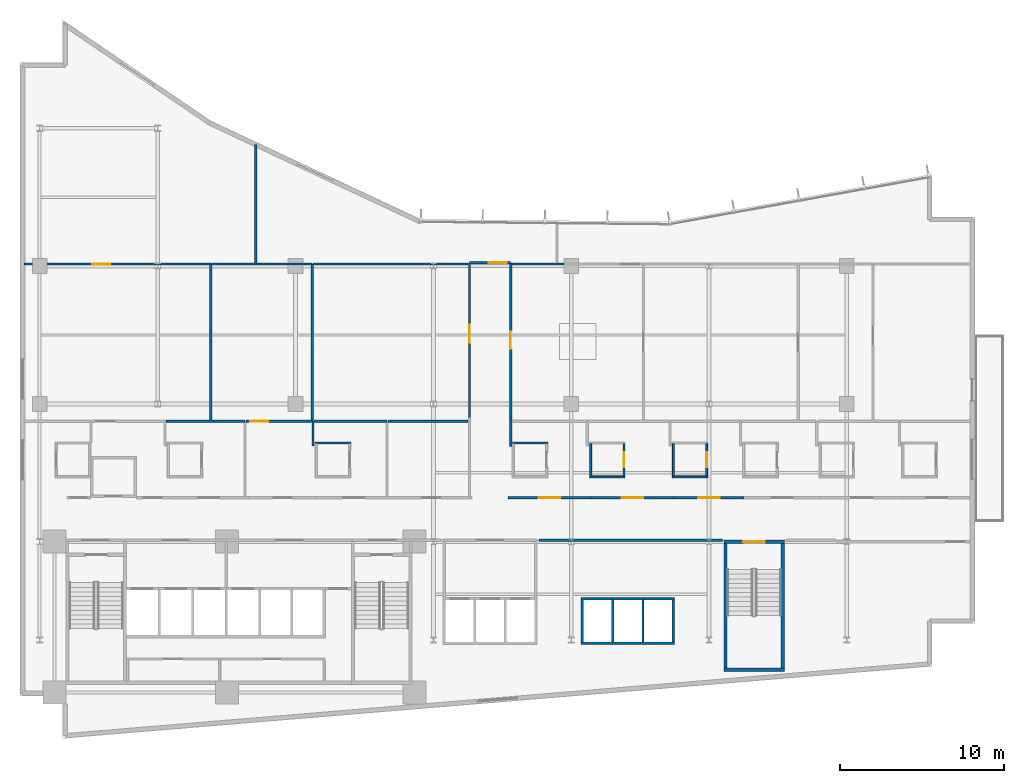
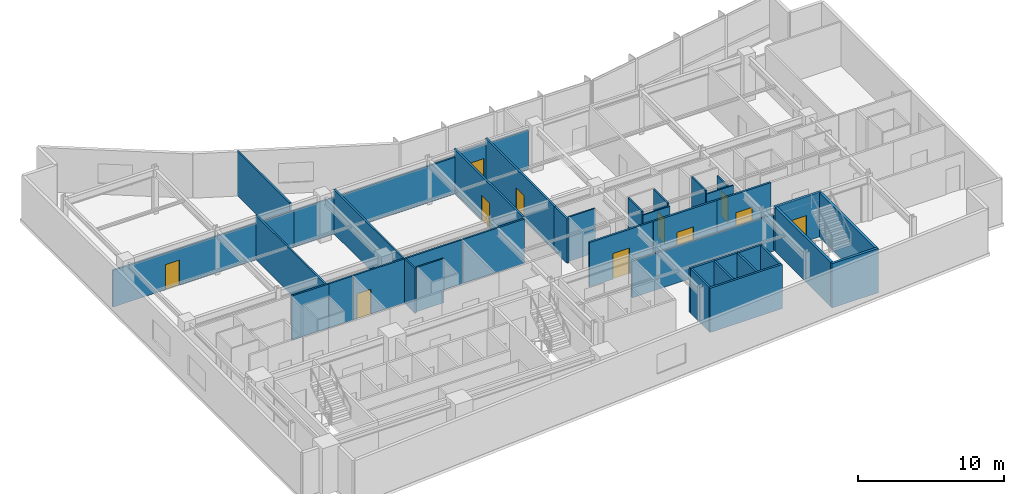
# One storey, part 12 of 19: 42 walls, 11 doors, 11 openings.
"""IFC4 building model written with IfcOpenShell, lengths in metres."""

from ifc_helpers import new_model, si_unit, direction, frame, frame_2d, origin, place, context, subcontext, project, spatial, rectangle, extrude, material, layer, layer_set, type_object, element, fill, save


model = new_model("IFC4")

# Units and contexts
model_context = context("Model", 3, precision=1e-05, world=origin(), true_north=direction((0.0, 1.0)))
body_context = subcontext(model_context, "Body", "Model", "MODEL_VIEW")
ifc_project = project(units=[si_unit("LENGTHUNIT", "METRE"), si_unit("AREAUNIT", "SQUARE_METRE"), si_unit("VOLUMEUNIT", "CUBIC_METRE"), si_unit("PLANEANGLEUNIT", "RADIAN"), si_unit("MASSUNIT", "GRAM", prefix="KILO")], contexts=[model_context])

# Site, building, storey
site_placement = place(None, origin())
site = spatial("IfcSite", under=ifc_project, at=site_placement, CompositionType="ELEMENT")
building_placement = place(site_placement, origin())
building = spatial("IfcBuilding", under=site, at=building_placement, Name="Varnakote Quay Hospital", CompositionType="ELEMENT")
storey_placement = place(building_placement, frame((0.0, 0.0, 54.10009765625)))
storey = spatial("IfcBuildingStorey", under=building, at=storey_placement, Name="L13", CompositionType="ELEMENT", Elevation=54.10009765625)

# Walls
ifc_material_1 = material(Name="Fire-rated acoustic gypsum stud wall", Category="gypsum")
ifc_layer_1 = layer(ifc_material_1, 0.159912109375)
ifc_layer_set_1 = layer_set([ifc_layer_1], Name="Fire-rated acoustic gypsum stud wall")
wall_type_1 = type_object("IfcWallType", Name="WL-COMP-160", PredefinedType="PARTITIONING", material=ifc_layer_set_1)
wall_1_placement = place(storey_placement, frame((31.6298828125, 12.080078125, 0.0), z_axis=(0.0, 0.0, 1.0), x_axis=(1.0, 0.0, 0.0)))
element("IfcWall", 1, at=wall_1_placement, inside=storey, type_object=wall_type_1, Name="L13 Corridor South Gap Wall", PredefinedType="PARTITIONING", context=body_context, shape_type="SweptSolid", body=[
    extrude(rectangle(XDim=11.180908203125, YDim=0.159912109375, at=frame_2d((5.59033203125, 0.0))), origin(), (0.0, 0.0, 1.0), 3.072998046875),
])
ifc_material_2 = material(Name="Moisture-resistant bathroom partition", Category="gypsum")
ifc_layer_2 = layer(ifc_material_2, 0.114990234375)
ifc_layer_set_2 = layer_set([ifc_layer_2], Name="Moisture-resistant bathroom partition")
wall_type_2 = type_object("IfcWallType", Name="WL-ENS-115", PredefinedType="PARTITIONING", material=ifc_layer_set_2)
for number, where, z_axis, x_axis, name in (
    (2, (18.0048828125, 18.017578125, 0.0), (0.0, 0.0, 1.0), (1.0, 0.0, 0.0), "L13 Inpatient En-Suite Bathroom 03 N Wall"),
    (3, (30.0048828125, 18.017578125, 0.0), (0.0, 0.0, 1.0), (1.0, 0.0, 0.0), "L13 Inpatient En-Suite Bathroom 04 N Wall"),
):
    element("IfcWall", number, at=place(storey_placement, frame(where, z_axis=z_axis, x_axis=x_axis)), inside=storey, type_object=wall_type_2, Name=name, PredefinedType="PARTITIONING", context=body_context, shape_type="SweptSolid", body=[
        extrude(rectangle(XDim=2.150146484375, YDim=0.114990234375, at=frame_2d((1.0751953125, 0.0))), origin(), (0.0, 0.0, 1.0), 3.7099609375),
    ])
wall_2_placement = place(storey_placement, frame((34.72509765625, 15.952392578125, 0.0), z_axis=(0.0, 0.0, 1.0), x_axis=(1.0, 0.0, 0.0)))
element("IfcWall", 4, at=wall_2_placement, inside=storey, type_object=wall_type_2, Name="L13 Inpatient En-Suite Bathroom 05 S Wall", PredefinedType="PARTITIONING", context=body_context, shape_type="SweptSolid", body=[
    extrude(rectangle(XDim=2.14990234375, YDim=0.114990234375, at=frame_2d((1.074951171875, 0.0))), origin(), (0.0, 0.0, 1.0), 3.477783203125),
])
wall_3_placement = place(storey_placement, frame((34.782470703125, 16.010009765625, 0.0), z_axis=(0.0, 0.0, 1.0), x_axis=(0.0, 1.0, 0.0)))
element("IfcWall", 5, at=wall_3_placement, inside=storey, type_object=wall_type_2, Name="L13 Inpatient En-Suite Bathroom 05 W Wall", PredefinedType="PARTITIONING", context=body_context, shape_type="SweptSolid", body=[
    extrude(rectangle(XDim=1.949951171875, YDim=0.114990234375, at=frame_2d((0.97509765625, 0.0))), origin(), (0.0, 0.0, 1.0), 3.7099609375),
])

# Wall, opening, door
wall_4_placement = place(storey_placement, frame((36.8173828125, 16.010009765625, 0.0), z_axis=(0.0, 0.0, 1.0), x_axis=(0.0, 1.0, 0.0)))
wall_4 = element("IfcWall", 6, at=wall_4_placement, inside=storey, type_object=wall_type_2, Name="L13 Inpatient En-Suite Bathroom 05 E Wall", PredefinedType="PARTITIONING", context=body_context, shape_type="SweptSolid", body=[
    extrude(rectangle(XDim=1.949951171875, YDim=0.114990234375, at=frame_2d((0.97509765625, 0.0))), origin(), (0.0, 0.0, 1.0), 3.7099609375),
])
opening_1_placement = place(wall_4_placement, frame((0.514892578125, 0.0, 0.0)))
opening_1 = element("IfcOpeningElement", 7, at=opening_1_placement, cuts=wall_4, Name="Opening D-L13-ENS05", PredefinedType="OPENING", context=body_context, shape_type="SweptSolid", body=[
    extrude(rectangle(XDim=0.919921875, YDim=2.10009765625, at=frame_2d((0.4599609375, 1.050048828125))), frame((0.0, 0.0673828125, 0.0), z_axis=(0.0, -1.0, 0.0), x_axis=(1.0, 0.0, 0.0)), (0.0, 0.0, 1.0), 0.135009765625),
])
ifc_material_3 = material(Name="Moisture-sealed en-suite bathroom door")
door_type_1 = type_object("IfcDoorType", Name="DR-ENS-920x2100", OperationType="NOTDEFINED", PredefinedType="DOOR", material=ifc_material_3)
door_1_placement = place(opening_1_placement, origin())
door_1 = element("IfcDoor", 8, at=door_1_placement, inside=storey, type_object=door_type_1, Name="L13 Inpatient En-Suite Bathroom 05 Door", OperationType="SINGLE_SWING_RIGHT", OverallHeight=2.10009765625, OverallWidth=0.919921875, PredefinedType="DOOR", context=body_context, shape_type="SweptSolid", body=[
    extrude(rectangle(XDim=0.919921875, YDim=2.10009765625, at=frame_2d((0.4599609375, 1.050048828125))), frame((0.0, 0.02490234375, 0.0), z_axis=(0.0, -1.0, 0.0), x_axis=(1.0, 0.0, 0.0)), (0.0, 0.0, 1.0), 0.050048828125),
])
fill(opening_1, door_1)

# Walls
wall_5_placement = place(storey_placement, frame((39.764892578125, 15.952392578125, 0.0), z_axis=(0.0, 0.0, 1.0), x_axis=(1.0, 0.0, 0.0)))
element("IfcWall", 9, at=wall_5_placement, inside=storey, type_object=wall_type_2, Name="L13 Inpatient En-Suite Bathroom 06 S Wall", PredefinedType="PARTITIONING", context=body_context, shape_type="SweptSolid", body=[
    extrude(rectangle(XDim=2.150146484375, YDim=0.114990234375, at=frame_2d((1.0751953125, 0.0))), origin(), (0.0, 0.0, 1.0), 3.477783203125),
])
wall_6_placement = place(storey_placement, frame((39.822509765625, 16.010009765625, 0.0), z_axis=(0.0, 0.0, 1.0), x_axis=(0.0, 1.0, 0.0)))
element("IfcWall", 10, at=wall_6_placement, inside=storey, type_object=wall_type_2, Name="L13 Inpatient En-Suite Bathroom 06 W Wall", PredefinedType="PARTITIONING", context=body_context, shape_type="SweptSolid", body=[
    extrude(rectangle(XDim=1.949951171875, YDim=0.114990234375, at=frame_2d((0.97509765625, 0.0))), origin(), (0.0, 0.0, 1.0), 3.7099609375),
])

# Wall, opening, door
wall_7_placement = place(storey_placement, frame((41.857421875, 16.010009765625, 0.0), z_axis=(0.0, 0.0, 1.0), x_axis=(0.0, 1.0, 0.0)))
wall_7 = element("IfcWall", 11, at=wall_7_placement, inside=storey, type_object=wall_type_2, Name="L13 Inpatient En-Suite Bathroom 06 E Wall", PredefinedType="PARTITIONING", context=body_context, shape_type="SweptSolid", body=[
    extrude(rectangle(XDim=1.949951171875, YDim=0.114990234375, at=frame_2d((0.97509765625, 0.0))), origin(), (0.0, 0.0, 1.0), 3.072998046875),
])
opening_2_placement = place(wall_7_placement, frame((0.514892578125, 0.0, 0.0)))
opening_2 = element("IfcOpeningElement", 12, at=opening_2_placement, cuts=wall_7, Name="Opening D-L13-ENS06", PredefinedType="OPENING", context=body_context, shape_type="SweptSolid", body=[
    extrude(rectangle(XDim=0.919921875, YDim=2.10009765625, at=frame_2d((0.4599609375, 1.050048828125))), frame((0.0, 0.0673828125, 0.0), z_axis=(0.0, -1.0, 0.0), x_axis=(1.0, 0.0, 0.0)), (0.0, 0.0, 1.0), 0.135009765625),
])
door_2_placement = place(opening_2_placement, origin())
door_2 = element("IfcDoor", 13, at=door_2_placement, inside=storey, type_object=door_type_1, Name="L13 Inpatient En-Suite Bathroom 06 Door", OperationType="SINGLE_SWING_LEFT", OverallHeight=2.10009765625, OverallWidth=0.919921875, PredefinedType="DOOR", context=body_context, shape_type="SweptSolid", body=[
    extrude(rectangle(XDim=0.919921875, YDim=2.10009765625, at=frame_2d((0.4599609375, 1.050048828125))), frame((0.0, 0.02490234375, 0.0), z_axis=(0.0, -1.0, 0.0), x_axis=(1.0, 0.0, 0.0)), (0.0, 0.0, 1.0), 0.050048828125),
])
fill(opening_2, door_2)

# Walls
ifc_material_4 = material(Name="Concrete N50 (f'c 50 MPa)", Category="concrete")
ifc_layer_3 = layer(ifc_material_4, 0.14990234375)
ifc_layer_set_3 = layer_set([ifc_layer_3], Name="Concrete N50 (f'c 50 MPa)")
wall_type_3 = type_object("IfcWallType", Name="WL-SHAFT-N50-150", PredefinedType="SHEAR", material=ifc_layer_set_3)
for number, where, z_axis, x_axis, name in (
    (14, (36.125, 5.89990234375, 0.0), (0.0, 0.0, 1.0), (0.0, 1.0, 0.0), "L13 LF-PM1 Hoistway Divider Wall"),
    (15, (37.97509765625, 5.89990234375, 0.0), (0.0, 0.0, 1.0), (0.0, 1.0, 0.0), "L13 LF-PM2 Hoistway Divider Wall"),
):
    element("IfcWall", number, at=place(storey_placement, frame(where, z_axis=z_axis, x_axis=x_axis)), inside=storey, type_object=wall_type_3, Name=name, PredefinedType="SHEAR", context=body_context, shape_type="SweptSolid", body=[
        extrude(rectangle(XDim=2.550048828125, YDim=0.14990234375, at=frame_2d((1.27490234375, 0.0))), origin(), (0.0, 0.0, 1.0), 3.7099609375),
    ])
ifc_material_5 = material(Name="Concrete N50 (f'c 50 MPa)", Category="concrete")
ifc_layer_4 = layer(ifc_material_5, 0.159912109375)
ifc_layer_set_4 = layer_set([ifc_layer_4], Name="Concrete N50 (f'c 50 MPa)")
wall_type_4 = type_object("IfcWallType", Name="WL-SHAFT-N50-160", PredefinedType="SHEAR", material=ifc_layer_set_4)
wall_8_placement = place(storey_placement, frame((34.18994140625, 5.820068359375, 0.0), z_axis=(0.0, 0.0, 1.0), x_axis=(1.0, 0.0, 0.0)))
element("IfcWall", 16, at=wall_8_placement, inside=storey, type_object=wall_type_4, Name="L13 MID Lift Bank Back Shear Wall", PredefinedType="SHEAR", context=body_context, shape_type="SweptSolid", body=[
    extrude(rectangle(XDim=5.719970703125, YDim=0.159912109375, at=frame_2d((2.85986328125, 0.0))), origin(), (0.0, 0.0, 1.0), 3.7099609375),
])
for number, where, z_axis, x_axis, name in (
    (17, (34.27001953125, 5.89990234375, 0.0), (0.0, 0.0, 1.0), (0.0, 1.0, 0.0), "L13 MID Lift Bank West Shear Wall"),
    (18, (39.830078125, 5.89990234375, 0.0), (0.0, 0.0, 1.0), (0.0, 1.0, 0.0), "L13 MID Lift Bank East Shear Wall"),
):
    element("IfcWall", number, at=place(storey_placement, frame(where, z_axis=z_axis, x_axis=x_axis)), inside=storey, type_object=wall_type_4, Name=name, PredefinedType="SHEAR", context=body_context, shape_type="SweptSolid", body=[
        extrude(rectangle(XDim=2.550048828125, YDim=0.159912109375, at=frame_2d((1.27490234375, 0.0))), origin(), (0.0, 0.0, 1.0), 3.7099609375),
    ])
wall_9_placement = place(storey_placement, frame((34.18994140625, 8.530029296875, 0.0), z_axis=(0.0, 0.0, 1.0), x_axis=(1.0, 0.0, 0.0)))
element("IfcWall", 19, at=wall_9_placement, inside=storey, type_object=wall_type_4, Name="L13 LF-PM1 Hoistway Front Wall", PredefinedType="SHEAR", context=body_context, shape_type="SweptSolid", body=[
    extrude(rectangle(XDim=1.93505859375, YDim=0.159912109375, at=frame_2d((0.967529296875, 0.0))), origin(), (0.0, 0.0, 1.0), 3.7099609375),
])
wall_10_placement = place(storey_placement, frame((36.125, 8.530029296875, 0.0), z_axis=(0.0, 0.0, 1.0), x_axis=(1.0, 0.0, 0.0)))
element("IfcWall", 20, at=wall_10_placement, inside=storey, type_object=wall_type_4, Name="L13 LF-PM2 Hoistway Front Wall", PredefinedType="SHEAR", context=body_context, shape_type="SweptSolid", body=[
    extrude(rectangle(XDim=1.85009765625, YDim=0.159912109375, at=frame_2d((0.925048828125, 0.0))), origin(), (0.0, 0.0, 1.0), 3.7099609375),
])
wall_11_placement = place(storey_placement, frame((37.97509765625, 8.530029296875, 0.0), z_axis=(0.0, 0.0, 1.0), x_axis=(1.0, 0.0, 0.0)))
element("IfcWall", 21, at=wall_11_placement, inside=storey, type_object=wall_type_4, Name="L13 LF-PM3 Hoistway Front Wall", PredefinedType="SHEAR", context=body_context, shape_type="SweptSolid", body=[
    extrude(rectangle(XDim=1.934814453125, YDim=0.159912109375, at=frame_2d((0.96728515625, 0.0))), origin(), (0.0, 0.0, 1.0), 3.7099609375),
])
ifc_material_6 = material(Name="Concrete N50 (f'c 50 MPa)", Category="concrete")
ifc_layer_5 = layer(ifc_material_6, 0.199951171875)
ifc_layer_set_5 = layer_set([ifc_layer_5], Name="Concrete N50 (f'c 50 MPa)")
wall_type_5 = type_object("IfcWallType", Name="WL-SHAFT-N50-200", PredefinedType="SHEAR", material=ifc_layer_set_5)
wall_12_placement = place(storey_placement, frame((42.89990234375, 4.199951171875, 0.0), z_axis=(0.0, 0.0, 1.0), x_axis=(1.0, 0.0, 0.0)))
element("IfcWall", 22, at=wall_12_placement, inside=storey, type_object=wall_type_5, Name="L13 Stair ST3 South Shaft Wall", PredefinedType="SHEAR", context=body_context, shape_type="SweptSolid", body=[
    extrude(rectangle(XDim=3.7001953125, YDim=0.199951171875, at=frame_2d((1.85009765625, 0.0))), origin(), (0.0, 0.0, 1.0), 3.7099609375),
])
for number, where, z_axis, x_axis, name in (
    (23, (43.0, 4.300048828125, 0.0), (0.0, 0.0, 1.0), (0.0, 1.0, 0.0), "L13 Stair ST3 West Shaft Wall"),
    (24, (46.5, 4.300048828125, 0.0), (0.0, 0.0, 1.0), (0.0, 1.0, 0.0), "L13 Stair ST3 East Shaft Wall"),
):
    element("IfcWall", number, at=place(storey_placement, frame(where, z_axis=z_axis, x_axis=x_axis)), inside=storey, type_object=wall_type_5, Name=name, PredefinedType="SHEAR", context=body_context, shape_type="SweptSolid", body=[
        extrude(rectangle(XDim=7.599853515625, YDim=0.199951171875, at=frame_2d((3.7998046875, 0.0))), origin(), (0.0, 0.0, 1.0), 3.7099609375),
    ])

# Wall, opening, door
wall_13_placement = place(storey_placement, frame((42.89990234375, 12.0, 0.0), z_axis=(0.0, 0.0, 1.0), x_axis=(1.0, 0.0, 0.0)))
wall_13 = element("IfcWall", 25, at=wall_13_placement, inside=storey, type_object=wall_type_5, Name="L13 Stair ST3 Exit Wall", PredefinedType="SHEAR", context=body_context, shape_type="SweptSolid", body=[
    extrude(rectangle(XDim=3.7001953125, YDim=0.199951171875, at=frame_2d((1.85009765625, 0.0))), origin(), (0.0, 0.0, 1.0), 3.7099609375),
])
opening_3_placement = place(wall_13_placement, frame((1.199951171875, 0.0, 0.0)))
opening_3 = element("IfcOpeningElement", 26, at=opening_3_placement, cuts=wall_13, Name="Opening D-ST3-L13", PredefinedType="OPENING", context=body_context, shape_type="SweptSolid", body=[
    extrude(rectangle(XDim=1.300048828125, YDim=2.14990234375, at=frame_2d((0.64990234375, 1.074951171875))), frame((0.0, 0.10986328125, 0.0), z_axis=(0.0, -1.0, 0.0), x_axis=(1.0, 0.0, 0.0)), (0.0, 0.0, 1.0), 0.219970703125),
])
ifc_material_7 = material(Name="Fire-rated ceramic-glazed timber exit door", Category="wood")
door_type_2 = type_object("IfcDoorType", Name="DR-STAIR-FD60S-1300x2150", OperationType="NOTDEFINED", PredefinedType="DOOR", material=ifc_material_7)
door_3_placement = place(opening_3_placement, origin())
door_3 = element("IfcDoor", 27, at=door_3_placement, inside=storey, type_object=door_type_2, Name="L13 Stair ST3 Fire Exit Door", OperationType="SINGLE_SWING_LEFT", OverallHeight=2.14990234375, OverallWidth=1.300048828125, PredefinedType="DOOR", context=body_context, shape_type="SweptSolid", body=[
    extrude(rectangle(XDim=1.300048828125, YDim=2.14990234375, at=frame_2d((0.64990234375, 1.074951171875))), frame((0.0, 0.02490234375, 0.0), z_axis=(0.0, -1.0, 0.0), x_axis=(1.0, 0.0, 0.0)), (0.0, 0.0, 1.0), 0.050048828125),
])
fill(opening_3, door_3)

# Walls
ifc_material_8 = material(Name="Smoke-proof clinical partition", Category="gypsum")
ifc_layer_6 = layer(ifc_material_8, 0.135009765625)
ifc_layer_set_6 = layer_set([ifc_layer_6], Name="Smoke-proof clinical partition")
wall_type_6 = type_object("IfcWallType", Name="WL-SMOKE-135", PredefinedType="PARTITIONING", material=ifc_layer_set_6)
wall_14_placement = place(storey_placement, frame((11.82470703125, 19.340087890625, 0.0), z_axis=(0.0, 0.0, 1.0), x_axis=(-1.0, 0.0, 0.0)))
element("IfcWall", 28, at=wall_14_placement, inside=storey, type_object=wall_type_6, Name="L13 Clinical Interior Partition", PredefinedType="PARTITIONING", context=body_context, shape_type="SweptSolid", body=[
    extrude(rectangle(XDim=2.92724609375, YDim=0.135009765625, at=frame_2d((1.463623046875, 0.0))), origin(), (0.0, 0.0, 1.0), 3.7099609375),
])
wall_15_placement = place(storey_placement, frame((13.7099609375, 19.340087890625, 0.0), z_axis=(0.0, 0.0, 1.0), x_axis=(-1.0, 0.0, 0.0)))
element("IfcWall", 29, at=wall_15_placement, inside=storey, type_object=wall_type_6, Name="L13 Clinical Interior Partition", PredefinedType="PARTITIONING", context=body_context, shape_type="SweptSolid", body=[
    extrude(rectangle(XDim=1.88330078125, YDim=0.135009765625, at=frame_2d((0.941650390625, 0.0))), origin(), (0.0, 0.0, 1.0), 3.7099609375),
])
wall_16_placement = place(storey_placement, frame((17.860107421875, 17.83251953125, 0.0), z_axis=(0.0, 0.0, 1.0), x_axis=(0.0, 1.0, 0.0)))
element("IfcWall", 30, at=wall_16_placement, inside=storey, type_object=wall_type_6, Name="L13 Clinical Interior Partition", PredefinedType="PARTITIONING", context=body_context, shape_type="SweptSolid", body=[
    extrude(rectangle(XDim=1.507568359375, YDim=0.135009765625, at=frame_2d((0.75390625, 0.0))), origin(), (0.0, 0.0, 1.0), 3.7099609375),
])

# Wall, opening, door
wall_17_placement = place(storey_placement, frame((17.860107421875, 19.340087890625, 0.0), z_axis=(0.0, 0.0, 1.0), x_axis=(-1.0, 0.0, 0.0)))
wall_17 = element("IfcWall", 31, at=wall_17_placement, inside=storey, type_object=wall_type_6, Name="L13 Clinical Interior Partition", PredefinedType="PARTITIONING", context=body_context, shape_type="SweptSolid", body=[
    extrude(rectangle(XDim=4.092529296875, YDim=0.135009765625, at=frame_2d((2.04638671875, 0.0))), origin(), (0.0, 0.0, 1.0), 3.7099609375),
])
opening_4_placement = place(wall_17_placement, frame((2.727783203125, 0.0, 0.0)))
opening_4 = element("IfcOpeningElement", 32, at=opening_4_placement, cuts=wall_17, Name="Opening D-L13-MD05", PredefinedType="OPENING", context=body_context, shape_type="SweptSolid", body=[
    extrude(rectangle(XDim=1.10009765625, YDim=2.10009765625, at=frame_2d((0.550048828125, 1.050048828125))), frame((0.0, 0.077392578125, 0.0), z_axis=(0.0, -1.0, 0.0), x_axis=(1.0, 0.0, 0.0)), (0.0, 0.0, 1.0), 0.155029296875),
])
ifc_material_9 = material(Name="Acoustic timber clinical consult door", Category="wood")
door_type_3 = type_object("IfcDoorType", Name="DR-CLIN-FD30S-1100x2100", OperationType="NOTDEFINED", PredefinedType="DOOR", material=ifc_material_9)
door_4_placement = place(opening_4_placement, origin())
door_4 = element("IfcDoor", 33, at=door_4_placement, inside=storey, type_object=door_type_3, Name="L13 Multidisciplinary Clinical Consultation Suite Door", OperationType="SINGLE_SWING_RIGHT", OverallHeight=2.10009765625, OverallWidth=1.10009765625, PredefinedType="DOOR", context=body_context, shape_type="SweptSolid", body=[
    extrude(rectangle(XDim=1.10009765625, YDim=2.10009765625, at=frame_2d((0.550048828125, 1.050048828125))), frame((0.0, 0.02490234375, 0.0), z_axis=(0.0, -1.0, 0.0), x_axis=(1.0, 0.0, 0.0)), (0.0, 0.0, 1.0), 0.050048828125),
])
fill(opening_4, door_4)

# Walls
wall_18_placement = place(storey_placement, frame((22.3701171875, 19.340087890625, 0.0), z_axis=(0.0, 0.0, 1.0), x_axis=(-1.0, 0.0, 0.0)))
element("IfcWall", 34, at=wall_18_placement, inside=storey, type_object=wall_type_6, Name="L13 Clinical Interior Partition", PredefinedType="PARTITIONING", context=body_context, shape_type="SweptSolid", body=[
    extrude(rectangle(XDim=4.45263671875, YDim=0.135009765625, at=frame_2d((2.226318359375, 0.0))), origin(), (0.0, 0.0, 1.0), 3.7099609375),
])
wall_19_placement = place(storey_placement, frame((27.320068359375, 19.340087890625, 0.0), z_axis=(0.0, 0.0, 1.0), x_axis=(-1.0, 0.0, 0.0)))
element("IfcWall", 35, at=wall_19_placement, inside=storey, type_object=wall_type_6, Name="L13 Clinical Interior Partition", PredefinedType="PARTITIONING", context=body_context, shape_type="SweptSolid", body=[
    extrude(rectangle(XDim=4.892578125, YDim=0.135009765625, at=frame_2d((2.4462890625, 0.0))), origin(), (0.0, 0.0, 1.0), 3.7099609375),
])
wall_20_placement = place(storey_placement, frame((11.6298828125, 19.3974609375, 0.0), z_axis=(0.0, 0.0, 1.0), x_axis=(0.0, 1.0, 0.0)))
element("IfcWall", 36, at=wall_20_placement, inside=storey, type_object=wall_type_6, Name="L13 Clinical Interior Partition", PredefinedType="PARTITIONING", context=body_context, shape_type="SweptSolid", body=[
    extrude(rectangle(XDim=9.5224609375, YDim=0.135009765625, at=frame_2d((4.76123046875, 0.0))), origin(), (0.0, 0.0, 1.0), 3.7099609375),
])

# Wall, opening, door
wall_21_placement = place(storey_placement, frame((11.6298828125, 28.919921875, 0.0), z_axis=(0.0, 0.0, 1.0), x_axis=(-1.0, 0.0, 0.0)))
wall_21 = element("IfcWall", 37, at=wall_21_placement, inside=storey, type_object=wall_type_6, Name="L13 Clinical Interior Partition", PredefinedType="PARTITIONING", context=body_context, shape_type="SweptSolid", body=[
    extrude(rectangle(XDim=11.389892578125, YDim=0.135009765625, at=frame_2d((5.69482421875, 0.0))), origin(), (0.0, 0.0, 1.0), 3.072998046875),
])
opening_5_placement = place(wall_21_placement, frame((6.134033203125, 0.0, 0.0)))
opening_5 = element("IfcOpeningElement", 38, at=opening_5_placement, cuts=wall_21, Name="Opening D-L13-MD10", PredefinedType="OPENING", context=body_context, shape_type="SweptSolid", body=[
    extrude(rectangle(XDim=1.10009765625, YDim=2.10009765625, at=frame_2d((0.550048828125, 1.050048828125))), frame((0.0, 0.077392578125, 0.0), z_axis=(0.0, -1.0, 0.0), x_axis=(1.0, 0.0, 0.0)), (0.0, 0.0, 1.0), 0.155029296875),
])
door_5_placement = place(opening_5_placement, origin())
door_5 = element("IfcDoor", 39, at=door_5_placement, inside=storey, type_object=door_type_3, Name="L13 Ward Clinical Governance Office Door", OperationType="SINGLE_SWING_LEFT", OverallHeight=2.10009765625, OverallWidth=1.10009765625, PredefinedType="DOOR", context=body_context, shape_type="SweptSolid", body=[
    extrude(rectangle(XDim=1.10009765625, YDim=2.10009765625, at=frame_2d((0.550048828125, 1.050048828125))), frame((0.0, 0.02490234375, 0.0), z_axis=(0.0, -1.0, 0.0), x_axis=(1.0, 0.0, 0.0)), (0.0, 0.0, 1.0), 0.050048828125),
])
fill(opening_5, door_5)

# Walls
wall_22_placement = place(storey_placement, frame((17.81005859375, 19.3974609375, 0.0), z_axis=(0.0, 0.0, 1.0), x_axis=(0.0, 1.0, 0.0)))
element("IfcWall", 40, at=wall_22_placement, inside=storey, type_object=wall_type_6, Name="L13 Clinical Interior Partition", PredefinedType="PARTITIONING", context=body_context, shape_type="SweptSolid", body=[
    extrude(rectangle(XDim=9.5224609375, YDim=0.135009765625, at=frame_2d((4.76123046875, 0.0))), origin(), (0.0, 0.0, 1.0), 3.7099609375),
])
wall_23_placement = place(storey_placement, frame((14.564697265625, 28.919921875, 0.0), z_axis=(0.0, 0.0, 1.0), x_axis=(-1.0, 0.0, 0.0)))
element("IfcWall", 41, at=wall_23_placement, inside=storey, type_object=wall_type_6, Name="L13 Clinical Interior Partition", PredefinedType="PARTITIONING", context=body_context, shape_type="SweptSolid", body=[
    extrude(rectangle(XDim=2.877197265625, YDim=0.135009765625, at=frame_2d((1.4384765625, 0.0))), origin(), (0.0, 0.0, 1.0), 3.072998046875),
])
wall_24_placement = place(storey_placement, frame((17.81005859375, 28.919921875, 0.0), z_axis=(0.0, 0.0, 1.0), x_axis=(-1.0, 0.0, 0.0)))
element("IfcWall", 42, at=wall_24_placement, inside=storey, type_object=wall_type_6, Name="L13 Clinical Interior Partition", PredefinedType="PARTITIONING", context=body_context, shape_type="SweptSolid", body=[
    extrude(rectangle(XDim=3.243408203125, YDim=0.135009765625, at=frame_2d((1.62158203125, 0.0))), origin(), (0.0, 0.0, 1.0), 3.072998046875),
])
wall_25_placement = place(storey_placement, frame((27.320068359375, 28.919921875, 0.0), z_axis=(0.0, 0.0, 1.0), x_axis=(-1.0, 0.0, 0.0)))
element("IfcWall", 43, at=wall_25_placement, inside=storey, type_object=wall_type_6, Name="L13 Clinical Interior Partition", PredefinedType="PARTITIONING", context=body_context, shape_type="SweptSolid", body=[
    extrude(rectangle(XDim=9.45263671875, YDim=0.135009765625, at=frame_2d((4.726318359375, 0.0))), origin(), (0.0, 0.0, 1.0), 3.072998046875),
])
wall_26_placement = place(storey_placement, frame((33.14990234375, 28.919921875, 0.0), z_axis=(0.0, 0.0, 1.0), x_axis=(-1.0, 0.0, 0.0)))
element("IfcWall", 44, at=wall_26_placement, inside=storey, type_object=wall_type_6, Name="L13 Clinical Interior Partition", PredefinedType="PARTITIONING", context=body_context, shape_type="SweptSolid", body=[
    extrude(rectangle(XDim=3.184814453125, YDim=0.135009765625, at=frame_2d((1.59228515625, 0.0))), origin(), (0.0, 0.0, 1.0), 3.325927734375),
])
wall_27_placement = place(storey_placement, frame((14.3701171875, 28.9775390625, 0.0), z_axis=(0.0, 0.0, 1.0), x_axis=(0.0, 1.0, 0.0)))
element("IfcWall", 45, at=wall_27_placement, inside=storey, type_object=wall_type_6, Name="L13 Clinical Interior Partition", PredefinedType="PARTITIONING", context=body_context, shape_type="SweptSolid", body=[
    extrude(rectangle(XDim=7.2216796875, YDim=0.135009765625, at=frame_2d((3.61083984375, 0.0))), origin(), (0.0, 0.0, 1.0), 3.7099609375),
])

# Wall, opening, door
ifc_material_10 = material(Name="Fire-rated clinical gypsum partition", Category="gypsum")
ifc_layer_7 = layer(ifc_material_10, 0.14990234375)
ifc_layer_set_7 = layer_set([ifc_layer_7], Name="Fire-rated clinical gypsum partition")
wall_type_7 = type_object("IfcWallType", Name="WL-WARD-150", PredefinedType="PARTITIONING", material=ifc_layer_set_7)
wall_28_placement = place(storey_placement, frame((34.805908203125, 14.679931640625, 0.0), z_axis=(0.0, 0.0, 1.0), x_axis=(-1.0, 0.0, 0.0)))
wall_28 = element("IfcWall", 46, at=wall_28_placement, inside=storey, type_object=wall_type_7, Name="L13 Clinical Interior Partition", PredefinedType="PARTITIONING", context=body_context, shape_type="SweptSolid", body=[
    extrude(rectangle(XDim=5.052001953125, YDim=0.14990234375, at=frame_2d((2.52587890625, 0.0))), origin(), (0.0, 0.0, 1.0), 3.7099609375),
])
opening_6_placement = place(wall_28_placement, frame((1.8759765625, 0.0, 0.0)))
opening_6 = element("IfcOpeningElement", 47, at=opening_6_placement, cuts=wall_28, Name="Opening D-L13-BR04", PredefinedType="OPENING", context=body_context, shape_type="SweptSolid", body=[
    extrude(rectangle(XDim=1.300048828125, YDim=2.14990234375, at=frame_2d((0.64990234375, 1.074951171875))), frame((0.0, 0.0849609375, 0.0), z_axis=(0.0, -1.0, 0.0), x_axis=(1.0, 0.0, 0.0)), (0.0, 0.0, 1.0), 0.169921875),
])
ifc_material_11 = material(Name="Solid-core timber clinical bed door", Category="wood")
door_type_4 = type_object("IfcDoorType", Name="DR-WARD-FD30S-1300x2150", OperationType="NOTDEFINED", PredefinedType="DOOR", material=ifc_material_11)
door_6_placement = place(opening_6_placement, origin())
door_6 = element("IfcDoor", 48, at=door_6_placement, inside=storey, type_object=door_type_4, Name="L13 Resident Care Bedroom 04 Door", OperationType="SINGLE_SWING_RIGHT", OverallHeight=2.14990234375, OverallWidth=1.300048828125, PredefinedType="DOOR", context=body_context, shape_type="SweptSolid", body=[
    extrude(rectangle(XDim=1.300048828125, YDim=2.14990234375, at=frame_2d((0.64990234375, 1.074951171875))), frame((0.0, 0.02490234375, 0.0), z_axis=(0.0, -1.0, 0.0), x_axis=(1.0, 0.0, 0.0)), (0.0, 0.0, 1.0), 0.050048828125),
])
fill(opening_6, door_6)

wall_29_placement = place(storey_placement, frame((39.845947265625, 14.679931640625, 0.0), z_axis=(0.0, 0.0, 1.0), x_axis=(-1.0, 0.0, 0.0)))
wall_29 = element("IfcWall", 49, at=wall_29_placement, inside=storey, type_object=wall_type_7, Name="L13 Clinical Interior Partition", PredefinedType="PARTITIONING", context=body_context, shape_type="SweptSolid", body=[
    extrude(rectangle(XDim=5.037841796875, YDim=0.14990234375, at=frame_2d((2.51904296875, 0.0))), origin(), (0.0, 0.0, 1.0), 3.7099609375),
])
opening_7_placement = place(wall_29_placement, frame((1.868896484375, 0.0, 0.0)))
opening_7 = element("IfcOpeningElement", 50, at=opening_7_placement, cuts=wall_29, Name="Opening D-L13-BR05", PredefinedType="OPENING", context=body_context, shape_type="SweptSolid", body=[
    extrude(rectangle(XDim=1.300048828125, YDim=2.14990234375, at=frame_2d((0.64990234375, 1.074951171875))), frame((0.0, 0.0849609375, 0.0), z_axis=(0.0, -1.0, 0.0), x_axis=(1.0, 0.0, 0.0)), (0.0, 0.0, 1.0), 0.169921875),
])
door_7_placement = place(opening_7_placement, origin())
door_7 = element("IfcDoor", 51, at=door_7_placement, inside=storey, type_object=door_type_4, Name="L13 Resident Care Bedroom 05 Door", OperationType="SINGLE_SWING_LEFT", OverallHeight=2.14990234375, OverallWidth=1.300048828125, PredefinedType="DOOR", context=body_context, shape_type="SweptSolid", body=[
    extrude(rectangle(XDim=1.300048828125, YDim=2.14990234375, at=frame_2d((0.64990234375, 1.074951171875))), frame((0.0, 0.02490234375, 0.0), z_axis=(0.0, -1.0, 0.0), x_axis=(1.0, 0.0, 0.0)), (0.0, 0.0, 1.0), 0.050048828125),
])
fill(opening_7, door_7)

wall_30_placement = place(storey_placement, frame((44.135986328125, 14.679931640625, 0.0), z_axis=(0.0, 0.0, 1.0), x_axis=(-1.0, 0.0, 0.0)))
wall_30 = element("IfcWall", 52, at=wall_30_placement, inside=storey, type_object=wall_type_7, Name="L13 Clinical Interior Partition", PredefinedType="PARTITIONING", context=body_context, shape_type="SweptSolid", body=[
    extrude(rectangle(XDim=4.2880859375, YDim=0.14990234375, at=frame_2d((2.14404296875, 0.0))), origin(), (0.0, 0.0, 1.0), 3.7099609375),
])
opening_8_placement = place(wall_30_placement, frame((1.493896484375, 0.0, 0.0)))
opening_8 = element("IfcOpeningElement", 53, at=opening_8_placement, cuts=wall_30, Name="Opening D-L13-BR06", PredefinedType="OPENING", context=body_context, shape_type="SweptSolid", body=[
    extrude(rectangle(XDim=1.300048828125, YDim=2.14990234375, at=frame_2d((0.64990234375, 1.074951171875))), frame((0.0, 0.0849609375, 0.0), z_axis=(0.0, -1.0, 0.0), x_axis=(1.0, 0.0, 0.0)), (0.0, 0.0, 1.0), 0.169921875),
])
door_8_placement = place(opening_8_placement, origin())
door_8 = element("IfcDoor", 54, at=door_8_placement, inside=storey, type_object=door_type_4, Name="L13 Resident Care Bedroom 06 Door", OperationType="SINGLE_SWING_RIGHT", OverallHeight=2.14990234375, OverallWidth=1.300048828125, PredefinedType="DOOR", context=body_context, shape_type="SweptSolid", body=[
    extrude(rectangle(XDim=1.300048828125, YDim=2.14990234375, at=frame_2d((0.64990234375, 1.074951171875))), frame((0.0, 0.02490234375, 0.0), z_axis=(0.0, -1.0, 0.0), x_axis=(1.0, 0.0, 0.0)), (0.0, 0.0, 1.0), 0.050048828125),
])
fill(opening_8, door_8)

wall_31_placement = place(storey_placement, frame((27.39990234375, 29.0, 0.0), z_axis=(0.0, 0.0, 1.0), x_axis=(0.0, -1.0, 0.0)))
wall_31 = element("IfcWall", 55, at=wall_31_placement, inside=storey, type_object=wall_type_7, Name="L13 Clinical Interior Partition", PredefinedType="PARTITIONING", context=body_context, shape_type="SweptSolid", body=[
    extrude(rectangle(XDim=9.431884765625, YDim=0.14990234375, at=frame_2d((4.7158203125, 0.0))), origin(), (0.0, 0.0, 1.0), 3.7099609375),
])
opening_9_placement = place(wall_31_placement, frame((3.769287109375, 0.0, 0.0)))
opening_9 = element("IfcOpeningElement", 56, at=opening_9_placement, cuts=wall_31, Name="Opening D-L13-MD06", PredefinedType="OPENING", context=body_context, shape_type="SweptSolid", body=[
    extrude(rectangle(XDim=1.10009765625, YDim=2.10009765625, at=frame_2d((0.550048828125, 1.050048828125))), frame((0.0, 0.0849609375, 0.0), z_axis=(0.0, -1.0, 0.0), x_axis=(1.0, 0.0, 0.0)), (0.0, 0.0, 1.0), 0.169921875),
])
door_9_placement = place(opening_9_placement, origin())
door_9 = element("IfcDoor", 57, at=door_9_placement, inside=storey, type_object=door_type_3, Name="L13 Ward Clinical Governance Office Door", OperationType="SINGLE_SWING_RIGHT", OverallHeight=2.10009765625, OverallWidth=1.10009765625, PredefinedType="DOOR", context=body_context, shape_type="SweptSolid", body=[
    extrude(rectangle(XDim=1.10009765625, YDim=2.10009765625, at=frame_2d((0.550048828125, 1.050048828125))), frame((0.0, 0.02490234375, 0.0), z_axis=(0.0, -1.0, 0.0), x_axis=(1.0, 0.0, 0.0)), (0.0, 0.0, 1.0), 0.050048828125),
])
fill(opening_9, door_9)

# Wall
wall_32_placement = place(storey_placement, frame((29.89990234375, 17.81396484375, 0.0), z_axis=(0.0, 0.0, 1.0), x_axis=(0.0, 1.0, 0.0)))
element("IfcWall", 58, at=wall_32_placement, inside=storey, type_object=wall_type_7, Name="L13 Clinical Interior Partition", PredefinedType="PARTITIONING", context=body_context, shape_type="SweptSolid", body=[
    extrude(rectangle(XDim=1.751953125, YDim=0.14990234375, at=frame_2d((0.8759765625, 0.0))), origin(), (0.0, 0.0, 1.0), 3.7099609375),
])

# Wall, opening, door
wall_33_placement = place(storey_placement, frame((29.89990234375, 19.568115234375, 0.0), z_axis=(0.0, 0.0, 1.0), x_axis=(0.0, 1.0, 0.0)))
wall_33 = element("IfcWall", 59, at=wall_33_placement, inside=storey, type_object=wall_type_7, Name="L13 Clinical Interior Partition", PredefinedType="PARTITIONING", context=body_context, shape_type="SweptSolid", body=[
    extrude(rectangle(XDim=9.431884765625, YDim=0.14990234375, at=frame_2d((4.7158203125, 0.0))), origin(), (0.0, 0.0, 1.0), 3.7099609375),
])
opening_10_placement = place(wall_33_placement, frame((4.166015625, 0.0, 0.0)))
opening_10 = element("IfcOpeningElement", 60, at=opening_10_placement, cuts=wall_33, Name="Opening D-L13-MD07", PredefinedType="OPENING", context=body_context, shape_type="SweptSolid", body=[
    extrude(rectangle(XDim=1.10009765625, YDim=2.10009765625, at=frame_2d((0.550048828125, 1.050048828125))), frame((0.0, 0.0849609375, 0.0), z_axis=(0.0, -1.0, 0.0), x_axis=(1.0, 0.0, 0.0)), (0.0, 0.0, 1.0), 0.169921875),
])
door_10_placement = place(opening_10_placement, origin())
door_10 = element("IfcDoor", 61, at=door_10_placement, inside=storey, type_object=door_type_3, Name="L13 Acute Telemetry Treatment Suite Door", OperationType="SINGLE_SWING_LEFT", OverallHeight=2.10009765625, OverallWidth=1.10009765625, PredefinedType="DOOR", context=body_context, shape_type="SweptSolid", body=[
    extrude(rectangle(XDim=1.10009765625, YDim=2.10009765625, at=frame_2d((0.550048828125, 1.050048828125))), frame((0.0, 0.02490234375, 0.0), z_axis=(0.0, -1.0, 0.0), x_axis=(1.0, 0.0, 0.0)), (0.0, 0.0, 1.0), 0.050048828125),
])
fill(opening_10, door_10)

wall_34_placement = place(storey_placement, frame((29.89990234375, 29.0, 0.0), z_axis=(0.0, 0.0, 1.0), x_axis=(-1.0, 0.0, 0.0)))
wall_34 = element("IfcWall", 62, at=wall_34_placement, inside=storey, type_object=wall_type_7, Name="L13 Clinical Interior Partition", PredefinedType="PARTITIONING", context=body_context, shape_type="SweptSolid", body=[
    extrude(rectangle(XDim=2.5, YDim=0.14990234375, at=frame_2d((1.25, 0.0))), origin(), (0.0, 0.0, 1.0), 3.325927734375),
])
opening_11_placement = place(wall_34_placement, frame((0.22509765625, 0.0, 0.0)))
opening_11 = element("IfcOpeningElement", 63, at=opening_11_placement, cuts=wall_34, Name="Opening D-L13-MD11", PredefinedType="OPENING", context=body_context, shape_type="SweptSolid", body=[
    extrude(rectangle(XDim=1.10009765625, YDim=2.10009765625, at=frame_2d((0.550048828125, 1.050048828125))), frame((0.0, 0.0849609375, 0.0), z_axis=(0.0, -1.0, 0.0), x_axis=(1.0, 0.0, 0.0)), (0.0, 0.0, 1.0), 0.169921875),
])
door_11_placement = place(opening_11_placement, origin())
door_11 = element("IfcDoor", 64, at=door_11_placement, inside=storey, type_object=door_type_3, Name="L13 Acute Telemetry Treatment Suite Door", OperationType="SINGLE_SWING_RIGHT", OverallHeight=2.10009765625, OverallWidth=1.10009765625, PredefinedType="DOOR", context=body_context, shape_type="SweptSolid", body=[
    extrude(rectangle(XDim=1.10009765625, YDim=2.10009765625, at=frame_2d((0.550048828125, 1.050048828125))), frame((0.0, 0.02490234375, 0.0), z_axis=(0.0, -1.0, 0.0), x_axis=(1.0, 0.0, 0.0)), (0.0, 0.0, 1.0), 0.050048828125),
])
fill(opening_11, door_11)

save(model, "model.ifc")
